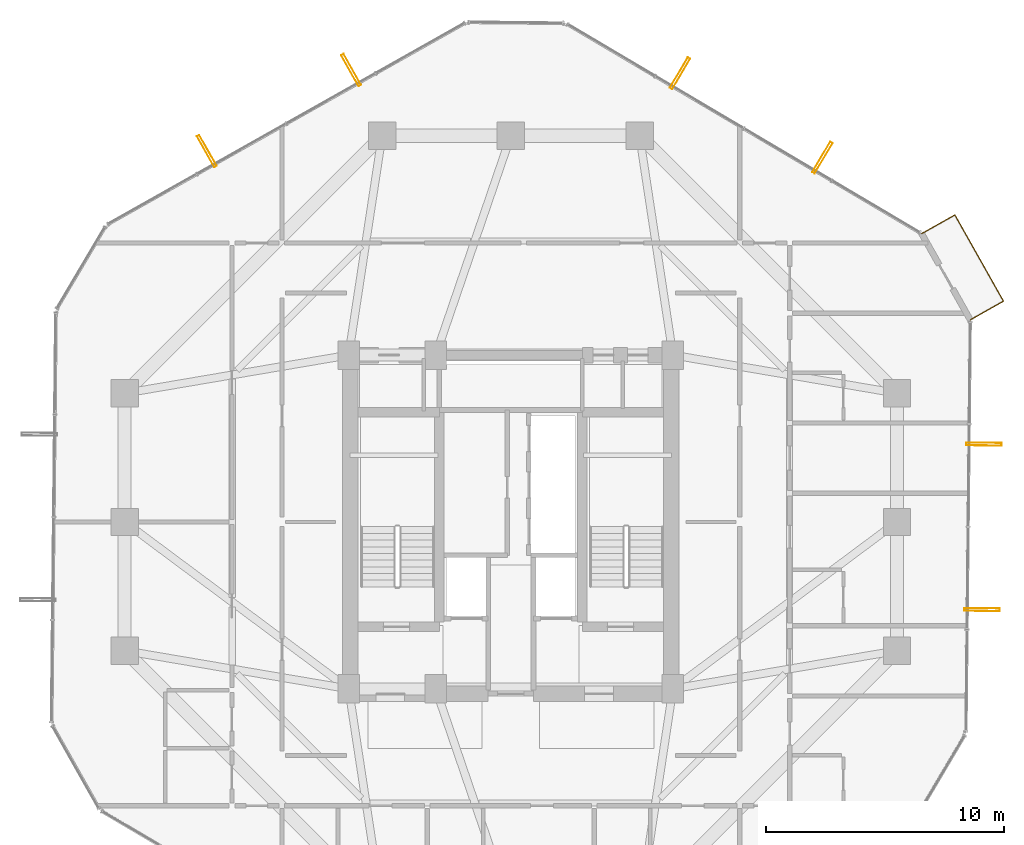
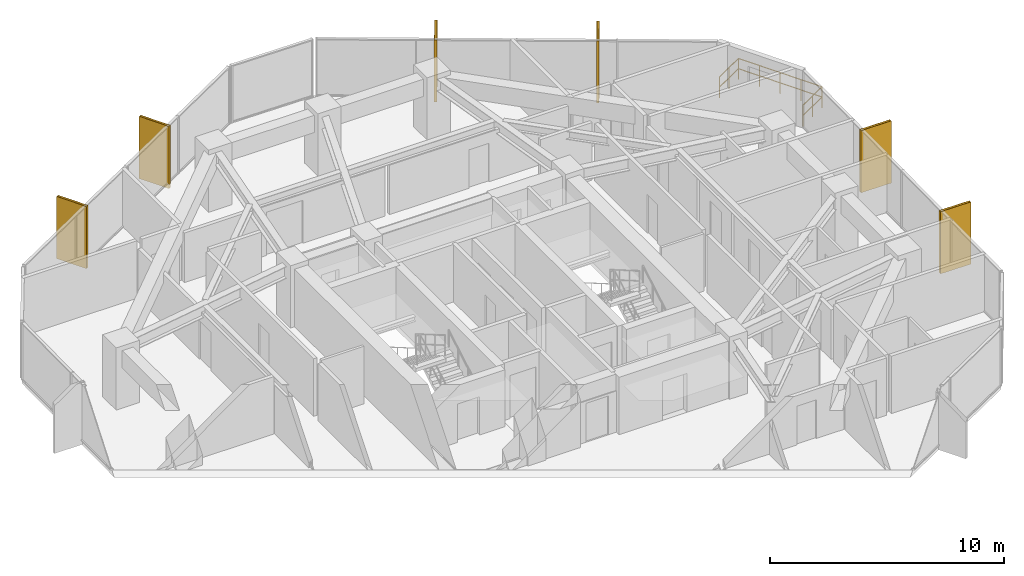
# One storey, part 30 of 30: 6 shading devices, 1 railing.
"""IFC4 building model written with IfcOpenShell, lengths in metres."""

import ifcopenshell
import ifcopenshell.guid

model = None  # the IFC model being written
_history = None  # IfcOwnerHistory: only IFC2X3 demands one
_inside = {}  # id of a spatial element -> (the spatial element, [elements in it])
_under = {}  # id of a project, library or spatial element -> (it, [spatial elements below it])
_declared = {}  # id of a project -> (the project, [libraries it declares])
_typed = {}  # id of a type object -> (the type object, [elements of that type])
_made_of = {}  # id of a material, layer set ... -> (it, [elements and type objects made of it])


def new_model(schema):
    """Start an empty IFC model of exactly this schema.

    Asked for "IFC4X3", IfcOpenShell would pick the latest addendum, in which some entities
    have other attributes; the version numbers below select the first issue.
    IFC2X3 requires an IfcOwnerHistory on every rooted entity: one is made here for all.
    """
    global model, _history
    if schema == "IFC4X3":
        model = ifcopenshell.file(schema_version=(4, 3, 0, 0))
    else:
        model = ifcopenshell.file(schema=schema)
    _inside.clear()
    _under.clear()
    _declared.clear()
    _typed.clear()
    _made_of.clear()
    _history = None
    if model.schema == "IFC2X3":
        org = make("IfcOrganization", Name="unknown")
        user = make(
            "IfcPersonAndOrganization",
            ThePerson=make("IfcPerson", FamilyName="unknown"),
            TheOrganization=org,
        )
        app = make(
            "IfcApplication",
            ApplicationDeveloper=org,
            Version="unknown",
            ApplicationFullName="unknown",
            ApplicationIdentifier="unknown",
        )
        _history = make(
            "IfcOwnerHistory",
            OwningUser=user,
            OwningApplication=app,
            ChangeAction="ADDED",
            CreationDate=0,
        )
    return model


def make(cls, **values):
    """One entity of the class cls with the attributes given. An attribute that is None is left unset."""
    return model.create_entity(
        cls, **{name: value for name, value in values.items() if value is not None}
    )


def rooted(cls, **values):
    """An entity with a GlobalId (a new one), such as an element, a storey or a relation."""
    return make(cls, GlobalId=ifcopenshell.guid.new(), OwnerHistory=_history, **values)


def si_unit(unit_type, name, prefix=None):
    """IfcSIUnit, for example si_unit("LENGTHUNIT", "METRE", prefix="MILLI")."""
    return make("IfcSIUnit", UnitType=unit_type, Prefix=prefix, Name=name)


def assignment(units):
    """IfcUnitAssignment: the units of a project."""
    return None if units is None else make("IfcUnitAssignment", Units=units)


def point(xyz):
    """IfcCartesianPoint."""
    return None if xyz is None else make("IfcCartesianPoint", Coordinates=xyz)


def direction(xyz):
    """IfcDirection."""
    return None if xyz is None else make("IfcDirection", DirectionRatios=xyz)


def frame(location, z_axis=None, x_axis=None):
    """IfcAxis2Placement3D, a coordinate frame: its origin and axes. An axis left out is left unset."""
    return make(
        "IfcAxis2Placement3D",
        Location=point(location),
        Axis=direction(z_axis),
        RefDirection=direction(x_axis),
    )


def frame_2d(location, x_axis=None):
    """IfcAxis2Placement2D, a coordinate frame in the plane: its origin and x axis."""
    return make(
        "IfcAxis2Placement2D", Location=point(location), RefDirection=direction(x_axis)
    )


def origin():
    """The frame at (0, 0, 0) with its axes left unset."""
    return frame((0.0, 0.0, 0.0))


def origin_2d():
    """The frame at (0, 0) in the plane with its x axis left unset."""
    return frame_2d((0.0, 0.0))


def place(relative_to, where):
    """IfcLocalPlacement: puts the frame where relative to a parent placement (None: the world)."""
    return make(
        "IfcLocalPlacement", PlacementRelTo=relative_to, RelativePlacement=where
    )


def context(
    kind, dimensions, precision=None, world=None, true_north=None, identifier=None
):
    """IfcGeometricRepresentationContext, for example the 3D "Model" context."""
    return make(
        "IfcGeometricRepresentationContext",
        ContextIdentifier=identifier,
        ContextType=kind,
        CoordinateSpaceDimension=dimensions,
        Precision=precision,
        WorldCoordinateSystem=world,
        TrueNorth=true_north,
    )


def subcontext(parent, identifier, kind, view, scale=None):
    """IfcGeometricRepresentationSubContext, for example "Body" below "Model"."""
    return make(
        "IfcGeometricRepresentationSubContext",
        ContextIdentifier=identifier,
        ContextType=kind,
        ParentContext=parent,
        TargetScale=scale,
        TargetView=view,
    )


def project(units=None, contexts=None):
    """IfcProject with its units and contexts."""
    return rooted(
        "IfcProject",
        Name="project",
        RepresentationContexts=contexts,
        UnitsInContext=assignment(units),
    )


def spatial(cls, under=None, at=None, **own):
    """A site, building, storey or space (cls), placed at a placement, below another one or the project."""
    s = rooted(cls, ObjectPlacement=at, **own)
    if under is not None:
        _under.setdefault(under.id(), (under, []))[1].append(s)
    return s


def profile(cls, at=None, kind="AREA", **sizes):
    """A parametric profile (cls). Its sizes go by their IFC names, for example OverallWidth=200.0."""
    return make(cls, ProfileType=kind, Position=at, **sizes)


def hollow_rectangle(**sizes):
    """IfcRectangleHollowProfileDef."""
    return profile("IfcRectangleHollowProfileDef", **sizes)


def circle(**sizes):
    """IfcCircleProfileDef."""
    return profile("IfcCircleProfileDef", **sizes)


def extrude(swept, where, along, depth):
    """IfcExtrudedAreaSolid: the profile swept, set in the frame where, extruded along a direction by depth."""
    return make(
        "IfcExtrudedAreaSolid",
        SweptArea=swept,
        Position=where,
        ExtrudedDirection=direction(along),
        Depth=depth,
    )


def shape(context_of_items, identifier, shape_type, items):
    """IfcShapeRepresentation: the items that make up one representation, for example the "Body"."""
    return make(
        "IfcShapeRepresentation",
        ContextOfItems=context_of_items,
        RepresentationIdentifier=identifier,
        RepresentationType=shape_type,
        Items=items,
    )


def material(Name=None, Category=None):
    """IfcMaterial."""
    return make("IfcMaterial", Name=Name, Category=Category)


def material_profile(
    of_material, cross_section, Name=None, Category=None, Priority=None
):
    """IfcMaterialProfile: a cross section and its material."""
    return make(
        "IfcMaterialProfile",
        Name=Name,
        Material=of_material,
        Profile=cross_section,
        Priority=Priority,
        Category=Category,
    )


def profile_set(profiles, Name=None, composite=None):
    """IfcMaterialProfileSet."""
    return make(
        "IfcMaterialProfileSet",
        Name=Name,
        MaterialProfiles=profiles,
        CompositeProfile=composite,
    )


def made_of(thing, what):
    """Note that an element or type object is made of a material, layer set ...; save() writes the relation."""
    if what is not None:
        _made_of.setdefault(what.id(), (what, []))[1].append(thing)
    return thing


def type_object(cls, material=None, **own):
    """A type object (cls), such as IfcWallType, which elements share."""
    return made_of(rooted(cls, **own), material)


def element(
    cls,
    number,
    at=None,
    inside=None,
    cuts=None,
    type_object=None,
    material=None,
    context=None,
    identifier="Body",
    shape_type=None,
    held_by="IfcProductDefinitionShape",
    body=None,
    shapes=None,
    **own,
):
    """One element of the class cls, such as IfcWall. Its Tag is "e" and its number.

    at: its placement. inside: the storey or other place that contains it. cuts: it is an
    opening in that element (IfcRelVoidsElement). A single representation is given by context,
    identifier, shape_type and body (its items); several are given by shapes. held_by: the class
    of the entity that holds the representations. save() writes the other relations.
    """
    e = rooted(cls, Tag="e%d" % number, ObjectPlacement=at, **own)
    if body is not None:
        shapes = [shape(context, identifier, shape_type, body)]
    if shapes is not None:
        e.Representation = make(held_by, Representations=shapes)
    if inside is not None:
        _inside.setdefault(inside.id(), (inside, []))[1].append(e)
    if cuts is not None:
        rooted(
            "IfcRelVoidsElement", RelatingBuildingElement=cuts, RelatedOpeningElement=e
        )
    if type_object is not None:
        _typed.setdefault(type_object.id(), (type_object, []))[1].append(e)
    return made_of(e, material)


def aggregate(whole, parts):
    """IfcRelAggregates: a whole, such as a stair, and the parts it consists of."""
    return rooted("IfcRelAggregates", RelatingObject=whole, RelatedObjects=parts)


def save(model, path):
    """Write the relations noted so far, then the file.

    IfcRelAggregates (storeys below a building ...), IfcRelContainedInSpatialStructure (elements
    in a storey), IfcRelDefinesByType, IfcRelAssociatesMaterial and IfcRelDeclares: one each for
    every whole, place, type object, material and project.
    """
    for whole, parts in _under.values():
        aggregate(whole, parts)
    for where, things in _inside.values():
        rooted(
            "IfcRelContainedInSpatialStructure",
            RelatedElements=things,
            RelatingStructure=where,
        )
    for kind, things in _typed.values():
        rooted("IfcRelDefinesByType", RelatedObjects=things, RelatingType=kind)
    for what, things in _made_of.values():
        rooted("IfcRelAssociatesMaterial", RelatedObjects=things, RelatingMaterial=what)
    for by, libraries in _declared.values():
        rooted("IfcRelDeclares", RelatingContext=by, RelatedDefinitions=libraries)
    model.write(path)


model = new_model("IFC4")

# Units and contexts
model_context = context("Model", 3, precision=1e-05, world=origin(), true_north=direction((0.0, 1.0)))
body_context = subcontext(model_context, "Body", "Model", "MODEL_VIEW")
ifc_project = project(units=[si_unit("LENGTHUNIT", "METRE"), si_unit("AREAUNIT", "SQUARE_METRE"), si_unit("VOLUMEUNIT", "CUBIC_METRE"), si_unit("PLANEANGLEUNIT", "RADIAN"), si_unit("MASSUNIT", "GRAM", prefix="KILO")], contexts=[model_context])

# Site, building, storey
site_placement = place(None, origin())
site = spatial("IfcSite", under=ifc_project, at=site_placement, CompositionType="ELEMENT")
building_placement = place(site_placement, origin())
building = spatial("IfcBuilding", under=site, at=building_placement, Name="Veraguas Prism Commons", CompositionType="ELEMENT")
storey_placement = place(building_placement, frame((0.0, 0.0, 126.25)))
storey = spatial("IfcBuildingStorey", under=building, at=storey_placement, Name="L35", CompositionType="ELEMENT", Elevation=126.25)

# Shading devices
ifc_material_1 = material(Name="Anodised aluminium EN AW-6063 T6", Category="aluminium")
ifc_material_profile = material_profile(ifc_material_1, hollow_rectangle(XDim=0.1201171875, YDim=1.489990234375, WallThickness=0.006103515625, at=origin_2d()), Name="FIN120X1490X6")
ifc_profile_set = profile_set([ifc_material_profile], Name="Anodised aluminium EN AW-6063 T6")
shading_device_type = type_object("IfcShadingDeviceType", Name="Deep Pale-Metal Vertical Solar Fin 120x1490", PredefinedType="USERDEFINED", material=ifc_profile_set)
for number, where, z_axis, x_axis, name in (
    (1, (37.0703125, 39.2822265625, -0.22998046875), (0.0, 0.0, 1.0), (-0.860742915448, 0.509039913471, 0.0), "Vertical Pale-Metal Solar Fin L35-F1A"),
    (2, (31.09521484375, 42.81591796875, -0.22998046875), (0.0, 0.0, 1.0), (-0.860742915448, 0.509039913471, 0.0), "Vertical Pale-Metal Solar Fin L35-F1B"),
    (3, (17.30029296875, 42.96044921875, -0.22998046875), (0.0, 0.0, 1.0), (-0.87121381112, -0.490903753615, 0.0), "Vertical Pale-Metal Solar Fin L35-F2A"),
    (4, (11.252685546875, 39.552734375, -0.22998046875), (0.0, 0.0, 1.0), (-0.87121381112, -0.490903753615, 0.0), "Vertical Pale-Metal Solar Fin L35-F2B"),
    (5, (43.77001953125, 20.322021484375, -0.22998046875), (0.0, 0.0, 1.0), (0.010475274583, 0.999945132806, 0.0), "Vertical Pale-Metal Solar Fin L35-F6A"),
    (6, (43.8427734375, 27.26318359375, -0.22998046875), (0.0, 0.0, 1.0), (0.010475274583, 0.999945132806, 0.0), "Vertical Pale-Metal Solar Fin L35-F6B"),
):
    element("IfcShadingDevice", number, at=place(storey_placement, frame(where, z_axis=z_axis, x_axis=x_axis)), inside=storey, type_object=shading_device_type, Name=name, ObjectType="FIN", PredefinedType="USERDEFINED", context=body_context, shape_type="SweptSolid", body=[
        extrude(hollow_rectangle(XDim=0.1201171875, YDim=1.489990234375, WallThickness=0.006103515625, at=origin_2d()), origin(), (0.0, 0.0, 1.0), 3.25),
    ])

# Railing
ifc_material_2 = material(Name="Stainless steel AISI 316", Category="steel")
railing_type = type_object("IfcRailingType", Name="Loggia and Sky Pool Glazed Balustrade 1120", PredefinedType="BALUSTRADE", material=ifc_material_2)
railing_placement = place(storey_placement, frame((43.272216796875, 32.475830078125, 0.0)))
element("IfcRailing", 7, at=railing_placement, inside=storey, type_object=railing_type, Name="Recessed Corner Loggia L35-C1 Guard", PredefinedType="BALUSTRADE", context=body_context, shape_type="SweptSolid", body=[
    extrude(circle(Radius=0.02392578125, at=origin_2d()), frame((0.0, 0.0, 1.09619140625), z_axis=(0.871241194473, 0.490855152823, 0.0), x_axis=(-0.490855152823, 0.871241194473, 0.0)), (0.0, 0.0, 1.0), 1.60009765625),
    extrude(circle(Radius=0.02392578125, at=origin_2d()), frame((0.0, 0.0, 0.56005859375), z_axis=(0.871241194473, 0.490855152823, 0.0), x_axis=(-0.490855152823, 0.871241194473, 0.0)), (0.0, 0.0, 1.0), 1.60009765625),
    extrude(circle(Radius=0.02392578125, at=origin_2d()), frame((1.39404296875, 0.785400390625, 1.09619140625), z_axis=(-0.490919779106, 0.871204781026, 0.0), x_axis=(-0.871204781026, -0.490919779106, 0.0)), (0.0, 0.0, 1.0), 4.153076171875),
    extrude(circle(Radius=0.02392578125, at=origin_2d()), frame((1.39404296875, 0.785400390625, 0.56005859375), z_axis=(-0.490919779106, 0.871204781026, 0.0), x_axis=(-0.871204781026, -0.490919779106, 0.0)), (0.0, 0.0, 1.0), 4.153076171875),
    extrude(circle(Radius=0.02392578125, at=origin_2d()), frame((-0.644775390625, 4.403564453125, 1.09619140625), z_axis=(-0.871241194473, -0.490855152823, 0.0), x_axis=(0.490855152823, -0.871241194473, 0.0)), (0.0, 0.0, 1.0), 1.60009765625),
    extrude(circle(Radius=0.02392578125, at=origin_2d()), frame((-0.644775390625, 4.403564453125, 0.56005859375), z_axis=(-0.871241194473, -0.490855152823, 0.0), x_axis=(0.490855152823, -0.871241194473, 0.0)), (0.0, 0.0, 1.0), 1.60009765625),
    extrude(circle(Radius=0.02099609375, at=origin_2d()), origin(), (0.0, 0.0, 1.0), 1.072021484375),
    extrude(circle(Radius=0.02099609375, at=origin_2d()), frame((0.697021484375, 0.392578125, 0.0)), (0.0, 0.0, 1.0), 1.072021484375),
    extrude(circle(Radius=0.02099609375, at=origin_2d()), frame((1.39404296875, 0.785400390625, 0.0)), (0.0, 0.0, 1.0), 1.072021484375),
    extrude(circle(Radius=0.02099609375, at=origin_2d()), frame((0.88427734375, 1.68994140625, 0.0)), (0.0, 0.0, 1.0), 1.072021484375),
    extrude(circle(Radius=0.02099609375, at=origin_2d()), frame((0.37451171875, 2.594482421875, 0.0)), (0.0, 0.0, 1.0), 1.072021484375),
    extrude(circle(Radius=0.02099609375, at=origin_2d()), frame((-0.135009765625, 3.4990234375, 0.0)), (0.0, 0.0, 1.0), 1.072021484375),
    extrude(circle(Radius=0.02099609375, at=origin_2d()), frame((-0.644775390625, 4.403564453125, 0.0)), (0.0, 0.0, 1.0), 1.072021484375),
    extrude(circle(Radius=0.02099609375, at=origin_2d()), frame((-1.341796875, 4.0107421875, 0.0)), (0.0, 0.0, 1.0), 1.072021484375),
    extrude(circle(Radius=0.02099609375, at=origin_2d()), frame((-2.038818359375, 3.6181640625, 0.0)), (0.0, 0.0, 1.0), 1.072021484375),
])

save(model, "model.ifc")
